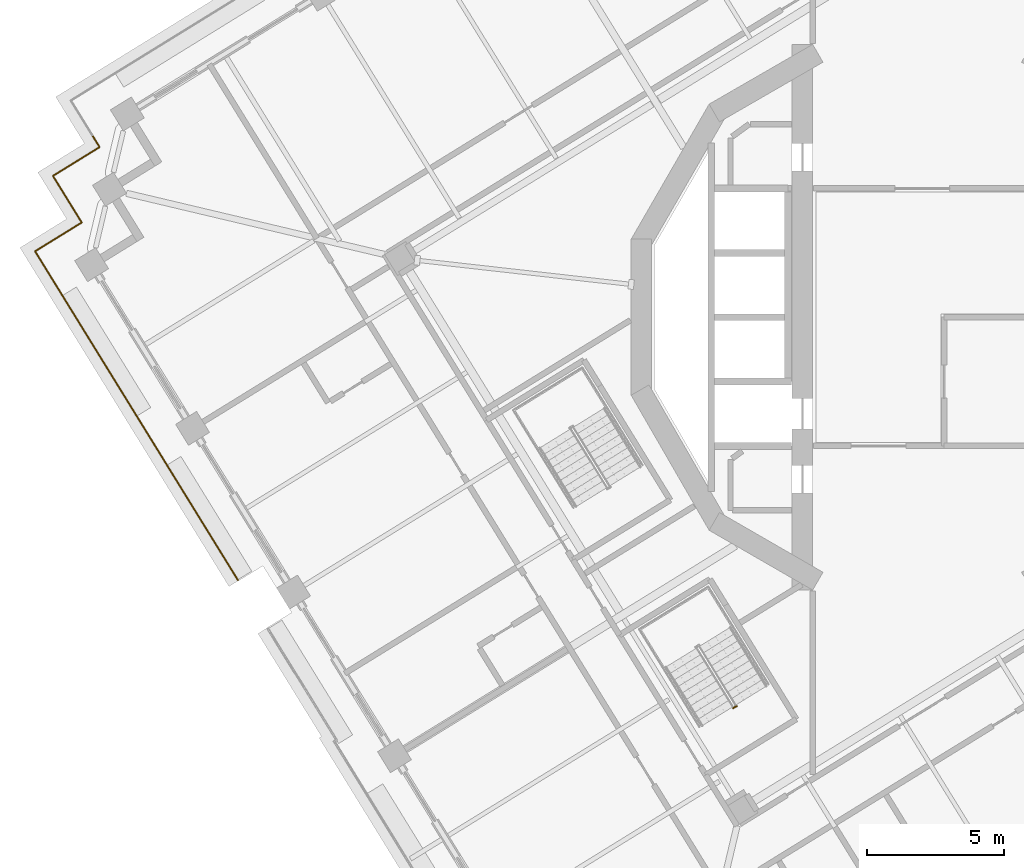
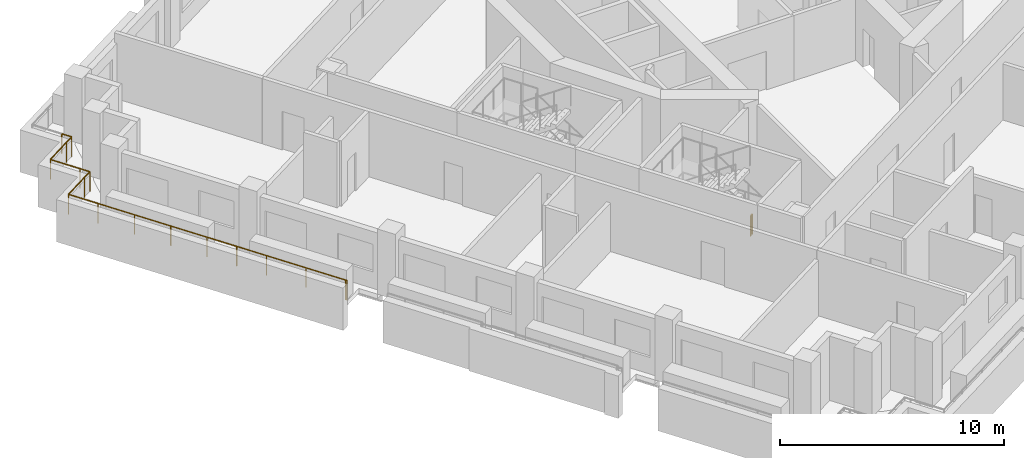
# One storey, part 12 of 20: 2 railings.
"""IFC4 building model written with IfcOpenShell, lengths in metres."""

import ifcopenshell
import ifcopenshell.guid

model = None  # the IFC model being written
_history = None  # IfcOwnerHistory: only IFC2X3 demands one
_inside = {}  # id of a spatial element -> (the spatial element, [elements in it])
_under = {}  # id of a project, library or spatial element -> (it, [spatial elements below it])
_declared = {}  # id of a project -> (the project, [libraries it declares])
_typed = {}  # id of a type object -> (the type object, [elements of that type])
_made_of = {}  # id of a material, layer set ... -> (it, [elements and type objects made of it])


def new_model(schema):
    """Start an empty IFC model of exactly this schema.

    Asked for "IFC4X3", IfcOpenShell would pick the latest addendum, in which some entities
    have other attributes; the version numbers below select the first issue.
    IFC2X3 requires an IfcOwnerHistory on every rooted entity: one is made here for all.
    """
    global model, _history
    if schema == "IFC4X3":
        model = ifcopenshell.file(schema_version=(4, 3, 0, 0))
    else:
        model = ifcopenshell.file(schema=schema)
    _inside.clear()
    _under.clear()
    _declared.clear()
    _typed.clear()
    _made_of.clear()
    _history = None
    if model.schema == "IFC2X3":
        org = make("IfcOrganization", Name="unknown")
        user = make(
            "IfcPersonAndOrganization",
            ThePerson=make("IfcPerson", FamilyName="unknown"),
            TheOrganization=org,
        )
        app = make(
            "IfcApplication",
            ApplicationDeveloper=org,
            Version="unknown",
            ApplicationFullName="unknown",
            ApplicationIdentifier="unknown",
        )
        _history = make(
            "IfcOwnerHistory",
            OwningUser=user,
            OwningApplication=app,
            ChangeAction="ADDED",
            CreationDate=0,
        )
    return model


def make(cls, **values):
    """One entity of the class cls with the attributes given. An attribute that is None is left unset."""
    return model.create_entity(
        cls, **{name: value for name, value in values.items() if value is not None}
    )


def rooted(cls, **values):
    """An entity with a GlobalId (a new one), such as an element, a storey or a relation."""
    return make(cls, GlobalId=ifcopenshell.guid.new(), OwnerHistory=_history, **values)


def si_unit(unit_type, name, prefix=None):
    """IfcSIUnit, for example si_unit("LENGTHUNIT", "METRE", prefix="MILLI")."""
    return make("IfcSIUnit", UnitType=unit_type, Prefix=prefix, Name=name)


def assignment(units):
    """IfcUnitAssignment: the units of a project."""
    return None if units is None else make("IfcUnitAssignment", Units=units)


def point(xyz):
    """IfcCartesianPoint."""
    return None if xyz is None else make("IfcCartesianPoint", Coordinates=xyz)


def direction(xyz):
    """IfcDirection."""
    return None if xyz is None else make("IfcDirection", DirectionRatios=xyz)


def frame(location, z_axis=None, x_axis=None):
    """IfcAxis2Placement3D, a coordinate frame: its origin and axes. An axis left out is left unset."""
    return make(
        "IfcAxis2Placement3D",
        Location=point(location),
        Axis=direction(z_axis),
        RefDirection=direction(x_axis),
    )


def frame_2d(location, x_axis=None):
    """IfcAxis2Placement2D, a coordinate frame in the plane: its origin and x axis."""
    return make(
        "IfcAxis2Placement2D", Location=point(location), RefDirection=direction(x_axis)
    )


def origin():
    """The frame at (0, 0, 0) with its axes left unset."""
    return frame((0.0, 0.0, 0.0))


def origin_2d():
    """The frame at (0, 0) in the plane with its x axis left unset."""
    return frame_2d((0.0, 0.0))


def place(relative_to, where):
    """IfcLocalPlacement: puts the frame where relative to a parent placement (None: the world)."""
    return make(
        "IfcLocalPlacement", PlacementRelTo=relative_to, RelativePlacement=where
    )


def context(
    kind, dimensions, precision=None, world=None, true_north=None, identifier=None
):
    """IfcGeometricRepresentationContext, for example the 3D "Model" context."""
    return make(
        "IfcGeometricRepresentationContext",
        ContextIdentifier=identifier,
        ContextType=kind,
        CoordinateSpaceDimension=dimensions,
        Precision=precision,
        WorldCoordinateSystem=world,
        TrueNorth=true_north,
    )


def subcontext(parent, identifier, kind, view, scale=None):
    """IfcGeometricRepresentationSubContext, for example "Body" below "Model"."""
    return make(
        "IfcGeometricRepresentationSubContext",
        ContextIdentifier=identifier,
        ContextType=kind,
        ParentContext=parent,
        TargetScale=scale,
        TargetView=view,
    )


def project(units=None, contexts=None):
    """IfcProject with its units and contexts."""
    return rooted(
        "IfcProject",
        Name="project",
        RepresentationContexts=contexts,
        UnitsInContext=assignment(units),
    )


def spatial(cls, under=None, at=None, **own):
    """A site, building, storey or space (cls), placed at a placement, below another one or the project."""
    s = rooted(cls, ObjectPlacement=at, **own)
    if under is not None:
        _under.setdefault(under.id(), (under, []))[1].append(s)
    return s


def profile(cls, at=None, kind="AREA", **sizes):
    """A parametric profile (cls). Its sizes go by their IFC names, for example OverallWidth=200.0."""
    return make(cls, ProfileType=kind, Position=at, **sizes)


def circle(**sizes):
    """IfcCircleProfileDef."""
    return profile("IfcCircleProfileDef", **sizes)


def extrude(swept, where, along, depth):
    """IfcExtrudedAreaSolid: the profile swept, set in the frame where, extruded along a direction by depth."""
    return make(
        "IfcExtrudedAreaSolid",
        SweptArea=swept,
        Position=where,
        ExtrudedDirection=direction(along),
        Depth=depth,
    )


def shape(context_of_items, identifier, shape_type, items):
    """IfcShapeRepresentation: the items that make up one representation, for example the "Body"."""
    return make(
        "IfcShapeRepresentation",
        ContextOfItems=context_of_items,
        RepresentationIdentifier=identifier,
        RepresentationType=shape_type,
        Items=items,
    )


def material(Name=None, Category=None):
    """IfcMaterial."""
    return make("IfcMaterial", Name=Name, Category=Category)


def made_of(thing, what):
    """Note that an element or type object is made of a material, layer set ...; save() writes the relation."""
    if what is not None:
        _made_of.setdefault(what.id(), (what, []))[1].append(thing)
    return thing


def type_object(cls, material=None, **own):
    """A type object (cls), such as IfcWallType, which elements share."""
    return made_of(rooted(cls, **own), material)


def element(
    cls,
    number,
    at=None,
    inside=None,
    cuts=None,
    type_object=None,
    material=None,
    context=None,
    identifier="Body",
    shape_type=None,
    held_by="IfcProductDefinitionShape",
    body=None,
    shapes=None,
    **own,
):
    """One element of the class cls, such as IfcWall. Its Tag is "e" and its number.

    at: its placement. inside: the storey or other place that contains it. cuts: it is an
    opening in that element (IfcRelVoidsElement). A single representation is given by context,
    identifier, shape_type and body (its items); several are given by shapes. held_by: the class
    of the entity that holds the representations. save() writes the other relations.
    """
    e = rooted(cls, Tag="e%d" % number, ObjectPlacement=at, **own)
    if body is not None:
        shapes = [shape(context, identifier, shape_type, body)]
    if shapes is not None:
        e.Representation = make(held_by, Representations=shapes)
    if inside is not None:
        _inside.setdefault(inside.id(), (inside, []))[1].append(e)
    if cuts is not None:
        rooted(
            "IfcRelVoidsElement", RelatingBuildingElement=cuts, RelatedOpeningElement=e
        )
    if type_object is not None:
        _typed.setdefault(type_object.id(), (type_object, []))[1].append(e)
    return made_of(e, material)


def aggregate(whole, parts):
    """IfcRelAggregates: a whole, such as a stair, and the parts it consists of."""
    return rooted("IfcRelAggregates", RelatingObject=whole, RelatedObjects=parts)


def save(model, path):
    """Write the relations noted so far, then the file.

    IfcRelAggregates (storeys below a building ...), IfcRelContainedInSpatialStructure (elements
    in a storey), IfcRelDefinesByType, IfcRelAssociatesMaterial and IfcRelDeclares: one each for
    every whole, place, type object, material and project.
    """
    for whole, parts in _under.values():
        aggregate(whole, parts)
    for where, things in _inside.values():
        rooted(
            "IfcRelContainedInSpatialStructure",
            RelatedElements=things,
            RelatingStructure=where,
        )
    for kind, things in _typed.values():
        rooted("IfcRelDefinesByType", RelatedObjects=things, RelatingType=kind)
    for what, things in _made_of.values():
        rooted("IfcRelAssociatesMaterial", RelatedObjects=things, RelatingMaterial=what)
    for by, libraries in _declared.values():
        rooted("IfcRelDeclares", RelatingContext=by, RelatedDefinitions=libraries)
    model.write(path)


model = new_model("IFC4")

# Units and contexts
model_context = context("Model", 3, precision=1e-05, world=origin(), true_north=direction((0.0, 1.0)))
body_context = subcontext(model_context, "Body", "Model", "MODEL_VIEW")
ifc_project = project(units=[si_unit("LENGTHUNIT", "METRE"), si_unit("AREAUNIT", "SQUARE_METRE"), si_unit("VOLUMEUNIT", "CUBIC_METRE"), si_unit("PLANEANGLEUNIT", "RADIAN"), si_unit("MASSUNIT", "GRAM", prefix="KILO")], contexts=[model_context])

# Site, building, storey
site_placement = place(None, origin())
site = spatial("IfcSite", under=ifc_project, at=site_placement, CompositionType="ELEMENT")
building_placement = place(site_placement, origin())
building = spatial("IfcBuilding", under=site, at=building_placement, Name="Cantera Rosa Tower", CompositionType="ELEMENT")
storey_placement = place(building_placement, frame((0.0, 0.0, 181.800048828125)))
storey = spatial("IfcBuildingStorey", under=building, at=storey_placement, Name="L40", CompositionType="ELEMENT", Elevation=181.800048828125)

# Railings
ifc_material_1 = material(Name="Stainless steel and laminated glass", Category="steel")
railing_type_1 = type_object("IfcRailingType", Name="GUARD 1100", PredefinedType="BALUSTRADE", material=ifc_material_1)
railing_1_placement = place(storey_placement, frame((-24.977783203125, -9.602294921875, 0.0)))
element("IfcRailing", 1, at=railing_1_placement, inside=storey, type_object=railing_type_1, Name="GUARD L40-5", PredefinedType="BALUSTRADE", context=body_context, shape_type="SweptSolid", body=[
    extrude(circle(Radius=0.030029296875, at=origin_2d()), frame((0.0, 0.0, 1.070068359375), z_axis=(-0.523707774199, 0.851897979364, 0.0), x_axis=(-0.851897979364, -0.523707774199, 0.0)), (0.0, 0.0, 1.0), 0.06982421875),
    extrude(circle(Radius=0.030029296875, at=origin_2d()), frame((-0.03662109375, 0.0595703125, 1.070068359375), z_axis=(-0.525022161202, 0.851088556054, 0.0), x_axis=(-0.851088556054, -0.525022161202, 0.0)), (0.0, 0.0, 1.0), 4.02001953125),
    extrude(circle(Radius=0.030029296875, at=origin_2d()), frame((-2.147216796875, 3.48095703125, 1.070068359375), z_axis=(-0.524964362564, 0.851124208349, 0.0), x_axis=(-0.851124208349, -0.524964362564, 0.0)), (0.0, 0.0, 1.0), 3.0),
    extrude(circle(Radius=0.030029296875, at=origin_2d()), frame((-3.72216796875, 6.034423828125, 1.070068359375), z_axis=(-0.524968277683, 0.851121793533, 0.0), x_axis=(-0.851121793533, -0.524968277683, 0.0)), (0.0, 0.0, 1.0), 5.519775390625),
    extrude(circle(Radius=0.030029296875, at=origin_2d()), frame((-6.619873046875, 10.732421875, 1.070068359375), z_axis=(-0.524986950369, 0.851110276017, 0.0), x_axis=(-0.851110276017, -0.524986950369, 0.0)), (0.0, 0.0, 1.0), 1.500244140625),
    extrude(circle(Radius=0.030029296875, at=origin_2d()), frame((-7.407470703125, 12.00927734375, 1.070068359375), z_axis=(0.85118298814, 0.524869051004, 0.0), x_axis=(-0.524869051004, 0.85118298814, 0.0)), (0.0, 0.0, 1.0), 1.5),
    extrude(circle(Radius=0.030029296875, at=origin_2d()), frame((-6.130615234375, 12.796630859375, 1.070068359375), z_axis=(0.851138143202, 0.52494176933, 0.0), x_axis=(-0.52494176933, 0.851138143202, 0.0)), (0.0, 0.0, 1.0), 0.5),
    extrude(circle(Radius=0.030029296875, at=origin_2d()), frame((-5.705078125, 13.05908203125, 1.070068359375), z_axis=(-0.52494176933, 0.851138143202, 0.0), x_axis=(-0.851138143202, -0.52494176933, 0.0)), (0.0, 0.0, 1.0), 0.5),
    extrude(circle(Radius=0.030029296875, at=origin_2d()), frame((-5.967529296875, 13.484619140625, 1.070068359375), z_axis=(-0.524986950369, 0.851110276017, 0.0), x_axis=(-0.851110276017, -0.524986950369, 0.0)), (0.0, 0.0, 1.0), 1.500244140625),
    extrude(circle(Radius=0.030029296875, at=origin_2d()), frame((-6.755126953125, 14.761474609375, 1.070068359375), z_axis=(0.851138143202, 0.52494176933, 0.0), x_axis=(-0.52494176933, 0.851138143202, 0.0)), (0.0, 0.0, 1.0), 1.5),
    extrude(circle(Radius=0.030029296875, at=origin_2d()), frame((-5.478515625, 15.548828125, 1.070068359375), z_axis=(0.851138143202, 0.52494176933, 0.0), x_axis=(-0.52494176933, 0.851138143202, 0.0)), (0.0, 0.0, 1.0), 0.5),
    extrude(circle(Radius=0.030029296875, at=origin_2d()), frame((-5.052978515625, 15.811279296875, 1.070068359375), z_axis=(-0.52494176933, 0.851138143202, 0.0), x_axis=(-0.851138143202, -0.52494176933, 0.0)), (0.0, 0.0, 1.0), 0.5),
    extrude(circle(Radius=0.02490234375, at=origin_2d()), origin(), (0.0, 0.0, 1.0), 1.0400390625),
    extrude(circle(Radius=0.02490234375, at=origin_2d()), frame((-0.03662109375, 0.0595703125, 0.0)), (0.0, 0.0, 1.0), 1.0400390625),
    extrude(circle(Radius=0.02490234375, at=origin_2d()), frame((-1.091796875, 1.770263671875, 0.0)), (0.0, 0.0, 1.0), 1.0400390625),
    extrude(circle(Radius=0.02490234375, at=origin_2d()), frame((-2.147216796875, 3.48095703125, 0.0)), (0.0, 0.0, 1.0), 1.0400390625),
    extrude(circle(Radius=0.02490234375, at=origin_2d()), frame((-2.9345703125, 4.7578125, 0.0)), (0.0, 0.0, 1.0), 1.0400390625),
    extrude(circle(Radius=0.02490234375, at=origin_2d()), frame((-3.72216796875, 6.034423828125, 0.0)), (0.0, 0.0, 1.0), 1.0400390625),
    extrude(circle(Radius=0.02490234375, at=origin_2d()), frame((-4.68798828125, 7.600341796875, 0.0)), (0.0, 0.0, 1.0), 1.0400390625),
    extrude(circle(Radius=0.02490234375, at=origin_2d()), frame((-5.654052734375, 9.16650390625, 0.0)), (0.0, 0.0, 1.0), 1.0400390625),
    extrude(circle(Radius=0.02490234375, at=origin_2d()), frame((-6.619873046875, 10.732421875, 0.0)), (0.0, 0.0, 1.0), 1.0400390625),
    extrude(circle(Radius=0.02490234375, at=origin_2d()), frame((-7.407470703125, 12.00927734375, 0.0)), (0.0, 0.0, 1.0), 1.0400390625),
    extrude(circle(Radius=0.02490234375, at=origin_2d()), frame((-6.130615234375, 12.796630859375, 0.0)), (0.0, 0.0, 1.0), 1.0400390625),
    extrude(circle(Radius=0.02490234375, at=origin_2d()), frame((-5.705078125, 13.05908203125, 0.0)), (0.0, 0.0, 1.0), 1.0400390625),
    extrude(circle(Radius=0.02490234375, at=origin_2d()), frame((-5.967529296875, 13.484619140625, 0.0)), (0.0, 0.0, 1.0), 1.0400390625),
    extrude(circle(Radius=0.02490234375, at=origin_2d()), frame((-6.755126953125, 14.761474609375, 0.0)), (0.0, 0.0, 1.0), 1.0400390625),
    extrude(circle(Radius=0.02490234375, at=origin_2d()), frame((-5.478515625, 15.548828125, 0.0)), (0.0, 0.0, 1.0), 1.0400390625),
    extrude(circle(Radius=0.02490234375, at=origin_2d()), frame((-5.052978515625, 15.811279296875, 0.0)), (0.0, 0.0, 1.0), 1.0400390625),
    extrude(circle(Radius=0.02490234375, at=origin_2d()), frame((-5.3154296875, 16.23681640625, 0.0)), (0.0, 0.0, 1.0), 1.0400390625),
])
ifc_material_2 = material(Name="Steel S355J2 (EN 10025-2)", Category="steel")
railing_type_2 = type_object("IfcRailingType", Name="STAIR GUARD 1100", PredefinedType="GUARDRAIL", material=ifc_material_2)
railing_2_placement = place(storey_placement, frame((-6.77490234375, -14.19482421875, 0.0)))
element("IfcRailing", 2, at=railing_2_placement, inside=storey, type_object=railing_type_2, Name="L40 ST-33 stair guard 3", PredefinedType="GUARDRAIL", context=body_context, shape_type="SweptSolid", body=[
    extrude(circle(Radius=0.02392578125, at=origin_2d()), frame((0.0, 0.0, 1.076171875), z_axis=(-0.851546489876, -0.524279100842, 0.0), x_axis=(0.524279100842, -0.851546489876, 0.0)), (0.0, 0.0, 1.0), 0.14990234375),
    extrude(circle(Radius=0.02099609375, at=origin_2d()), origin(), (0.0, 0.0, 1.0), 1.052001953125),
    extrude(circle(Radius=0.02099609375, at=origin_2d()), frame((-0.127685546875, -0.07861328125, 0.0)), (0.0, 0.0, 1.0), 1.052001953125),
])

save(model, "model.ifc")
